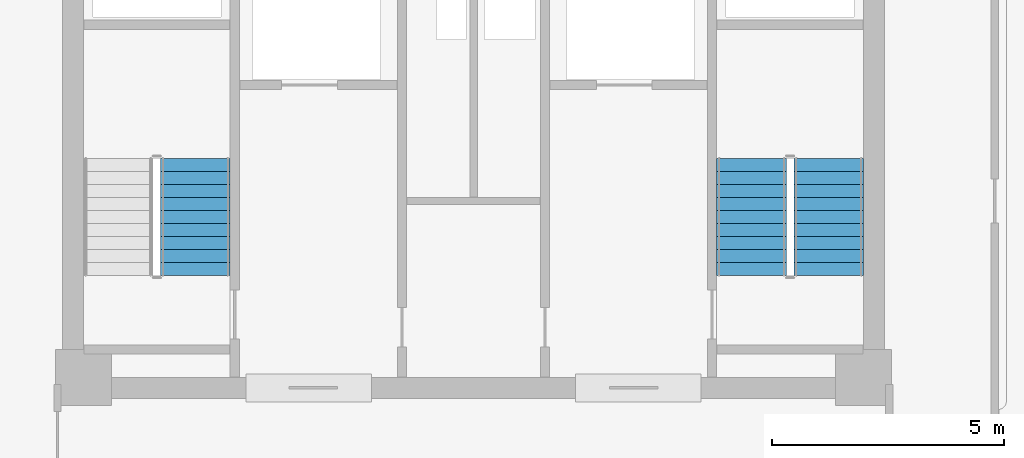
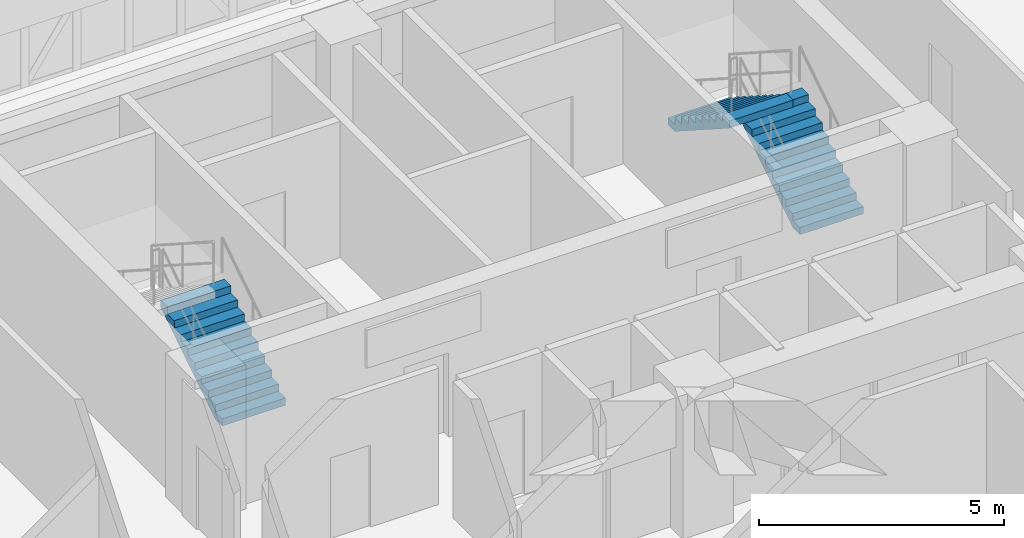
# One storey, part 13 of 15: 3 stair flights, 2 elements without a shape of their own.
"""IFC4 building model written with IfcOpenShell, lengths in metres."""

from ifc_helpers import new_model, si_unit, derived_unit, direction, frame, origin, place, context, subcontext, project, spatial, polyline, outline, extrude, material, type_object, element, aggregate, save


model = new_model("IFC4")

# Units and contexts
model_context = context("Model", 3, precision=1e-05, world=origin(), true_north=direction((0.0, 1.0)))
body_context = subcontext(model_context, "Body", "Model", "MODEL_VIEW")
ifc_project = project(units=[si_unit("LENGTHUNIT", "METRE"), si_unit("AREAUNIT", "SQUARE_METRE"), si_unit("VOLUMEUNIT", "CUBIC_METRE"), si_unit("PLANEANGLEUNIT", "RADIAN"), si_unit("MASSUNIT", "GRAM", prefix="KILO"), derived_unit("THERMALTRANSMITTANCEUNIT", [(si_unit("POWERUNIT", "WATT"), 1), (si_unit("LENGTHUNIT", "METRE"), -2), (si_unit("THERMODYNAMICTEMPERATUREUNIT", "KELVIN"), -1)])], contexts=[model_context])

# Site, building, storey
site_placement = place(None, origin())
site = spatial("IfcSite", under=ifc_project, at=site_placement, CompositionType="ELEMENT")
building_placement = place(site_placement, origin())
building = spatial("IfcBuilding", under=site, at=building_placement, Name="Korsvarv Bourse and Concert Hall", CompositionType="ELEMENT")
storey_placement = place(building_placement, frame((0.0, 0.0, 165.0)))
storey = spatial("IfcBuildingStorey", under=building, at=storey_placement, Name="L42", CompositionType="ELEMENT", Elevation=165.0)

# Stair, stair flight
ifc_material = material(Name="Precast concrete C45/55", Category="concrete")
stair_type = type_object("IfcStairType", Name="STR-TYPE-04", PredefinedType="HALF_TURN_STAIR", material=ifc_material)
stair_1_placement = place(storey_placement, origin())
stair_1 = element("IfcStair", 1, at=stair_1_placement, inside=storey, type_object=stair_type, Name="L42 Tower West Exit Stair ST-T1", PredefinedType="HALF_TURN_STAIR")
stair_flight_type = type_object("IfcStairFlightType", Name="FLT-TYPE-04", PredefinedType="STRAIGHT", material=ifc_material)
stair_flight_1_placement = place(storey_placement, frame((30.010009765625, 40.0, 0.0), z_axis=(0.0, 0.0, 1.0), x_axis=(0.0, 1.0, 0.0)))
stair_flight_1 = element("IfcStairFlight", 2, at=stair_flight_1_placement, type_object=stair_flight_type, Name="ST-T1 flight 1", NumberOfRisers=10, NumberOfTreads=9, PredefinedType="STRAIGHT", RiserHeight=0.18, TreadLength=0.28, context=body_context, shape_type="SweptSolid", body=[
    extrude(outline(polyline([(0.0, 0.0), (0.0, 0.179931640625), (0.280029296875, 0.179931640625), (0.280029296875, 0.360107421875), (0.56005859375, 0.360107421875), (0.56005859375, 0.5400390625), (0.840087890625, 0.5400390625), (0.840087890625, 0.719970703125), (1.1201171875, 0.719970703125), (1.1201171875, 0.89990234375), (1.39990234375, 0.89990234375), (1.39990234375, 1.080078125), (1.679931640625, 1.080078125), (1.679931640625, 1.260009765625), (1.9599609375, 1.260009765625), (1.9599609375, 1.43994140625), (2.239990234375, 1.43994140625), (2.239990234375, 1.6201171875), (2.52001953125, 1.6201171875), (2.52001953125, 1.800048828125), (2.52001953125, 1.44189453125), (0.277099609375, 0.0), (0.0, 0.0)])), frame((0.0, 0.75, 0.0), z_axis=(0.0, -1.0, 0.0), x_axis=(1.0, 0.0, 0.0)), (0.0, 0.0, 1.0), 1.5),
])
aggregate(stair_1, [stair_flight_1])

# Stair, stair flights
stair_2_placement = place(storey_placement, origin())
stair_2 = element("IfcStair", 3, at=stair_2_placement, inside=storey, type_object=stair_type, Name="L42 Tower East Exit Stair ST-T2", PredefinedType="HALF_TURN_STAIR")
stair_flight_2_placement = place(storey_placement, frame((43.64990234375, 40.0, 0.0), z_axis=(0.0, 0.0, 1.0), x_axis=(0.0, 1.0, 0.0)))
stair_flight_2 = element("IfcStairFlight", 4, at=stair_flight_2_placement, type_object=stair_flight_type, Name="ST-T2 flight 1", NumberOfRisers=10, NumberOfTreads=9, PredefinedType="STRAIGHT", RiserHeight=0.18, TreadLength=0.28, context=body_context, shape_type="SweptSolid", body=[
    extrude(outline(polyline([(0.0, 0.0), (0.0, 0.179931640625), (0.280029296875, 0.179931640625), (0.280029296875, 0.360107421875), (0.56005859375, 0.360107421875), (0.56005859375, 0.5400390625), (0.840087890625, 0.5400390625), (0.840087890625, 0.719970703125), (1.1201171875, 0.719970703125), (1.1201171875, 0.89990234375), (1.39990234375, 0.89990234375), (1.39990234375, 1.080078125), (1.679931640625, 1.080078125), (1.679931640625, 1.260009765625), (1.9599609375, 1.260009765625), (1.9599609375, 1.43994140625), (2.239990234375, 1.43994140625), (2.239990234375, 1.6201171875), (2.52001953125, 1.6201171875), (2.52001953125, 1.800048828125), (2.52001953125, 1.44189453125), (0.277099609375, 0.0), (0.0, 0.0)])), frame((0.0, 0.75, 0.0), z_axis=(0.0, -1.0, 0.0), x_axis=(1.0, 0.0, 0.0)), (0.0, 0.0, 1.0), 1.5),
])
stair_flight_3_placement = place(storey_placement, frame((41.989990234375, 42.52001953125, 1.800048828125), z_axis=(0.0, 0.0, 1.0), x_axis=(0.0, -1.0, 0.0)))
stair_flight_3 = element("IfcStairFlight", 5, at=stair_flight_3_placement, type_object=stair_flight_type, Name="ST-T2 flight 2", NumberOfRisers=10, NumberOfTreads=9, PredefinedType="STRAIGHT", RiserHeight=0.18, TreadLength=0.28, context=body_context, shape_type="SweptSolid", body=[
    extrude(outline(polyline([(0.0, 0.0), (0.0, 0.179931640625), (0.280029296875, 0.179931640625), (0.280029296875, 0.360107421875), (0.56005859375, 0.360107421875), (0.56005859375, 0.5400390625), (0.840087890625, 0.5400390625), (0.840087890625, 0.719970703125), (1.1201171875, 0.719970703125), (1.1201171875, 0.89990234375), (1.39990234375, 0.89990234375), (1.39990234375, 1.080078125), (1.679931640625, 1.080078125), (1.679931640625, 1.260009765625), (1.9599609375, 1.260009765625), (1.9599609375, 1.43994140625), (2.239990234375, 1.43994140625), (2.239990234375, 1.6201171875), (2.52001953125, 1.6201171875), (2.52001953125, 1.800048828125), (2.52001953125, 1.44189453125), (0.277099609375, 0.0), (0.0, 0.0)])), frame((0.0, 0.75, 0.0), z_axis=(0.0, -1.0, 0.0), x_axis=(1.0, 0.0, 0.0)), (0.0, 0.0, 1.0), 1.5),
])
aggregate(stair_2, [stair_flight_2, stair_flight_3])

save(model, "model.ifc")
